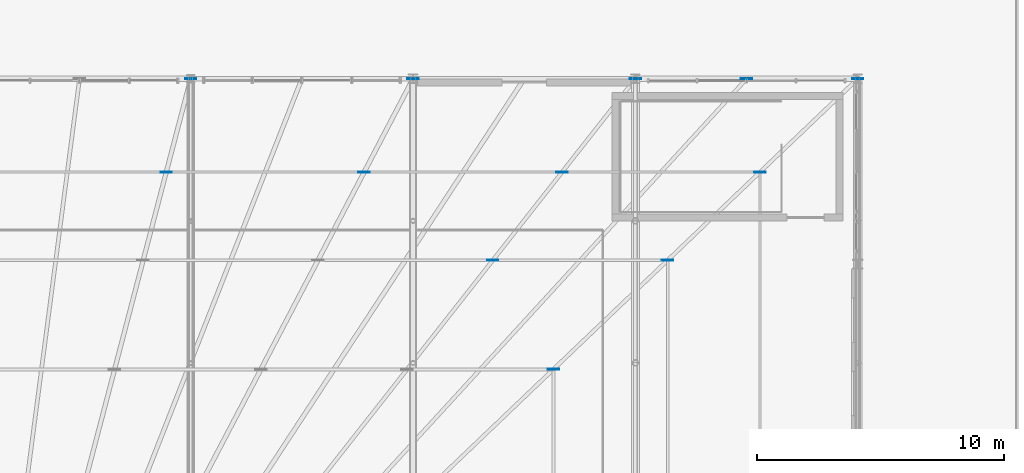
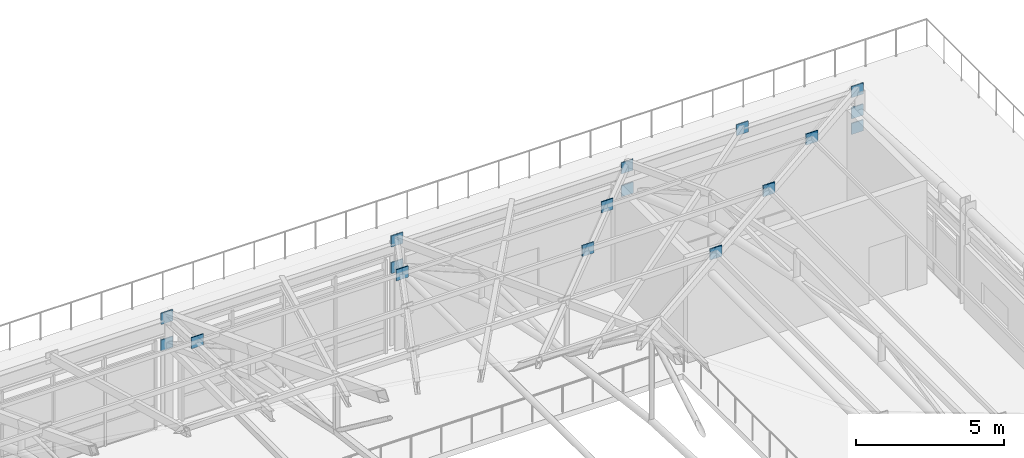
# One storey, part 147 of 168: 17 plates.
"""IFC4 building model written with IfcOpenShell, lengths in metres."""

from ifc_helpers import new_model, si_unit, direction, frame, origin, origin_2d, place, context, subcontext, project, spatial, rectangle, extrude, material, layer, layer_set, type_object, element, save


model = new_model("IFC4")

# Units and contexts
model_context = context("Model", 3, precision=1e-05, world=origin(), true_north=direction((0.0, 1.0)))
body_context = subcontext(model_context, "Body", "Model", "MODEL_VIEW")
ifc_project = project(units=[si_unit("LENGTHUNIT", "METRE"), si_unit("AREAUNIT", "SQUARE_METRE"), si_unit("VOLUMEUNIT", "CUBIC_METRE"), si_unit("PLANEANGLEUNIT", "RADIAN"), si_unit("MASSUNIT", "GRAM", prefix="KILO"), si_unit("THERMODYNAMICTEMPERATUREUNIT", "KELVIN"), si_unit("POWERUNIT", "WATT")], contexts=[model_context])

# Site, building, storey
site_placement = place(None, origin())
site = spatial("IfcSite", under=ifc_project, at=site_placement, CompositionType="ELEMENT")
building_placement = place(site_placement, origin())
building = spatial("IfcBuilding", under=site, at=building_placement, Name="Tepalcoro Natatorium and Aquatics Centre", CompositionType="ELEMENT")
storey_placement = place(building_placement, frame((0.0, 0.0, 10.199951171875)))
storey = spatial("IfcBuildingStorey", under=building, at=storey_placement, Name="L02", CompositionType="ELEMENT", Elevation=10.199951171875)

# Plates
ifc_material = material(Name="Plate Steel ASTM A572 Grade 50 (Fy 345 MPa)", Category="steel")
ifc_layer_1 = layer(ifc_material, 0.031982421875)
ifc_layer_set_1 = layer_set([ifc_layer_1], Name="Plate Steel ASTM A572 Grade 50 (Fy 345 MPa)")
plate_type_1 = type_object("IfcPlateType", Name="PL_CAP_32", PredefinedType="USERDEFINED", material=ifc_layer_set_1)
for number, where, z_axis, x_axis, name in (
    (1, (125.0, 59.0, 4.090087890625), (0.0, 0.0, 1.0), (1.0, 0.0, 0.0), "Truss Node Cap Plate HIP_NE"),
    (2, (116.0, 59.0, 4.090087890625), (0.0, 0.0, 1.0), (1.0, 0.0, 0.0), "Truss Node Cap Plate RAFN"),
    (3, (120.5, 59.0, 4.090087890625), (0.0, 0.0, 1.0), (1.0, 0.0, 0.0), "Truss Node Cap Plate RAFN"),
):
    element("IfcPlate", number, at=place(storey_placement, frame(where, z_axis=z_axis, x_axis=x_axis)), inside=storey, type_object=plate_type_1, Name=name, ObjectType="CAP PLATE", PredefinedType="USERDEFINED", context=body_context, shape_type="SweptSolid", body=[
        extrude(rectangle(XDim=0.4599609375, YDim=0.031982421875, at=origin_2d()), origin(), (0.0, 0.0, 1.0), 0.4599609375),
    ])
ifc_layer_2 = layer(ifc_material, 0.0400390625)
ifc_layer_set_2 = layer_set([ifc_layer_2], Name="Plate Steel ASTM A572 Grade 50 (Fy 345 MPa)")
plate_type_2 = type_object("IfcPlateType", Name="PL_GUSSET_40", PredefinedType="USERDEFINED", material=ifc_layer_set_2)
for number, where, z_axis, x_axis, name in (
    (4, (97.010009765625, 55.219970703125, 5.806640625), (0.0, 0.0, 1.0), (1.0, 0.0, 0.0), "Truss Node Gusset Plate PURN"),
    (5, (105.02001953125, 55.219970703125, 5.806640625), (0.0, 0.0, 1.0), (1.0, 0.0, 0.0), "Truss Node Gusset Plate PURN"),
    (6, (113.030029296875, 55.219970703125, 5.806640625), (0.0, 0.0, 1.0), (1.0, 0.0, 0.0), "Truss Node Gusset Plate PURN"),
    (7, (121.0400390625, 55.219970703125, 5.806640625), (0.0, 0.0, 1.0), (1.0, 0.0, 0.0), "Truss Node Gusset Plate PURN"),
    (8, (110.22509765625, 51.64990234375, 7.150146484375), (0.0, 0.0, 1.0), (1.0, 0.0, 0.0), "Truss Node Gusset Plate PURN"),
    (9, (117.300048828125, 51.64990234375, 7.150146484375), (0.0, 0.0, 1.0), (1.0, 0.0, 0.0), "Truss Node Gusset Plate PURN"),
    (10, (112.679931640625, 47.239990234375, 8.82421875), (0.0, 0.0, 1.0), (1.0, 0.0, 0.0), "Truss Node Gusset Plate PURN"),
    (11, (98.0, 59.0, 4.170166015625), (0.0, 0.0, 1.0), (1.0, 0.0, 0.0), "Truss Node Gusset Plate V1T_5"),
    (12, (98.0, 59.0, 3.070068359375), (0.0, 0.0, 1.0), (1.0, 0.0, 0.0), "Truss Node Gusset Plate V1B_5"),
    (13, (107.0, 59.0, 4.219970703125), (0.0, 0.0, 1.0), (1.0, 0.0, 0.0), "Truss Node Gusset Plate V1T_6"),
    (14, (107.0, 59.0, 3.1201171875), (0.0, 0.0, 1.0), (1.0, 0.0, 0.0), "Truss Node Gusset Plate V1B_6"),
    (15, (116.0, 59.0, 3.14501953125), (0.0, 0.0, 1.0), (1.0, 0.0, 0.0), "Truss Node Gusset Plate V1B_7"),
    (16, (125.0, 59.0, 3.219970703125), (0.0, 0.0, 1.0), (1.0, 0.0, 0.0), "Truss Node Gusset Plate V1T_8"),
    (17, (125.0, 59.0, 2.570068359375), (0.0, 0.0, 1.0), (1.0, 0.0, 0.0), "Truss Node Gusset Plate V1B_8"),
):
    element("IfcPlate", number, at=place(storey_placement, frame(where, z_axis=z_axis, x_axis=x_axis)), inside=storey, type_object=plate_type_2, Name=name, ObjectType="GUSSET PLATE", PredefinedType="USERDEFINED", context=body_context, shape_type="SweptSolid", body=[
        extrude(rectangle(XDim=0.4599609375, YDim=0.0400390625, at=origin_2d()), origin(), (0.0, 0.0, 1.0), 0.4599609375),
    ])

save(model, "model.ifc")
